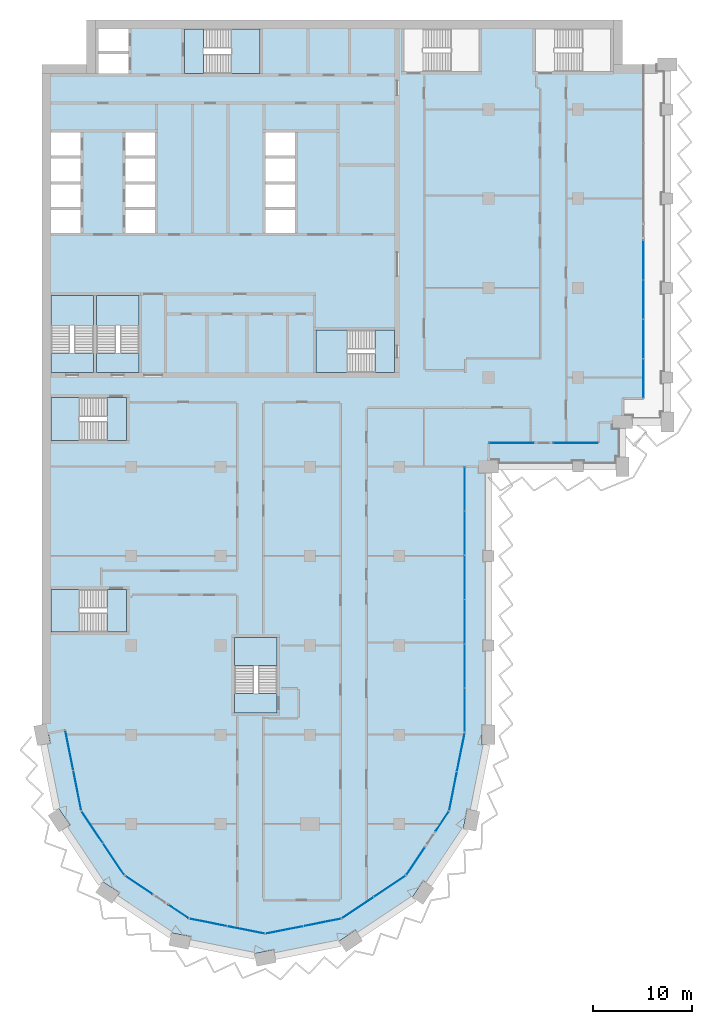
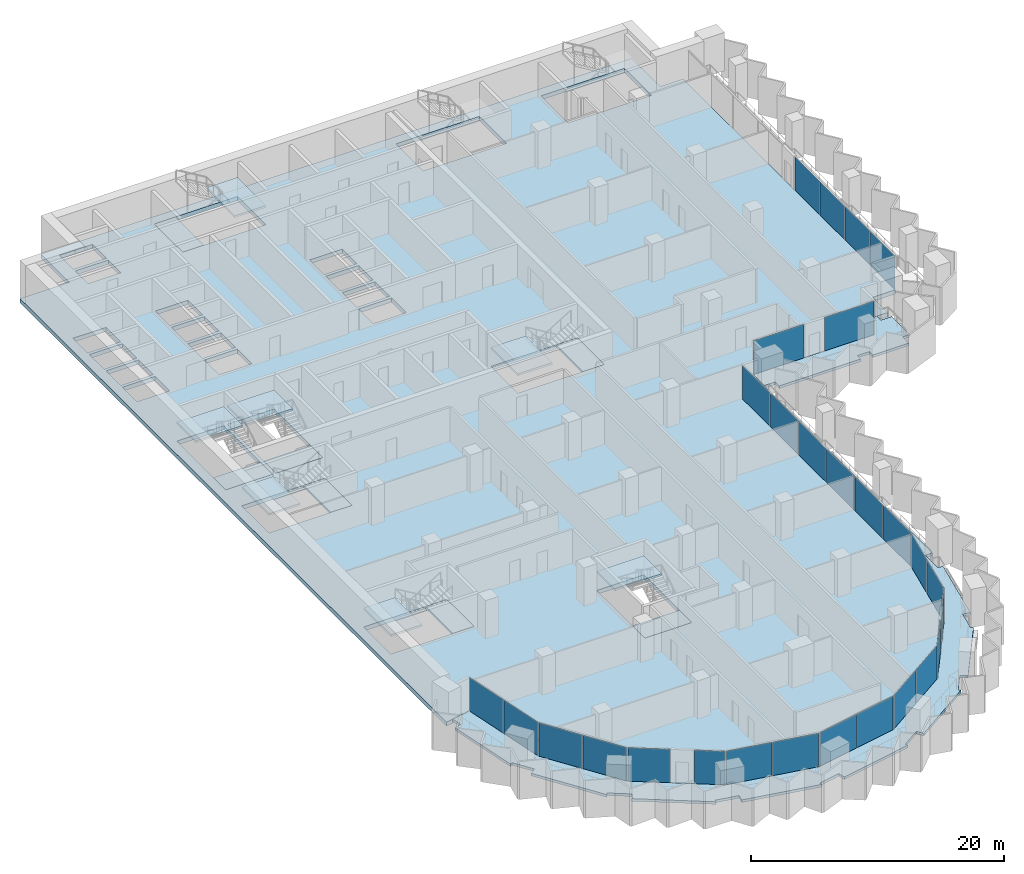
# One storey, part 7 of 23: 28 plates, 17 slabs, 21 elements without a shape of their own.
"""IFC4 building model written with IfcOpenShell, lengths in metres."""

from ifc_helpers import new_model, si_unit, direction, frame, origin, origin_2d, place, context, subcontext, project, spatial, polyline, rectangle, outline, extrude, material, layer, layer_set, type_object, element, aggregate, save


model = new_model("IFC4")

# Units and contexts
model_context = context("Model", 3, precision=1e-05, world=origin(), true_north=direction((0.0, 1.0)))
body_context = subcontext(model_context, "Body", "Model", "MODEL_VIEW")
ifc_project = project(units=[si_unit("LENGTHUNIT", "METRE"), si_unit("AREAUNIT", "SQUARE_METRE"), si_unit("VOLUMEUNIT", "CUBIC_METRE"), si_unit("PLANEANGLEUNIT", "RADIAN"), si_unit("MASSUNIT", "GRAM", prefix="KILO")], contexts=[model_context])

# Site, building, storey
site_placement = place(None, origin())
site = spatial("IfcSite", under=ifc_project, at=site_placement, CompositionType="ELEMENT")
building_placement = place(site_placement, origin())
building = spatial("IfcBuilding", under=site, at=building_placement, Name="Hunhe Ridgeline Campus", CompositionType="ELEMENT")
storey_placement = place(building_placement, frame((0.0, 0.0, 148.60009765625)))
storey = spatial("IfcBuildingStorey", under=building, at=storey_placement, Name="L37", CompositionType="ELEMENT", Elevation=148.60009765625)

# Curtain wall, plates
ifc_material_1 = material(Name="Aluminium 6063", Category="aluminium")
curtain_wall_type_1 = type_object("IfcCurtainWallType", Name="Curtain wall CW-5", PredefinedType="NOTDEFINED", material=ifc_material_1)
curtain_wall_1_placement = place(storey_placement, origin())
curtain_wall_1 = element("IfcCurtainWall", 1, at=curtain_wall_1_placement, inside=storey, type_object=curtain_wall_type_1, Name="Curtain wall 01", PredefinedType="NOTDEFINED")
ifc_material_2 = material(Name="Low-e laminated glass", Category="glass")
ifc_layer_1 = layer(ifc_material_2, 0.028076171875)
ifc_layer_set_1 = layer_set([ifc_layer_1], Name="Curtain wall glass panel 28 low-e laminated")
plate_type = type_object("IfcPlateType", Name="Curtain wall glass panel 28 low-e laminated", PredefinedType="CURTAIN_PANEL", material=ifc_layer_set_1)
plate_1_placement = place(storey_placement, frame((2.76318359375, 25.416015625, 0.0), z_axis=(0.0, 0.0, 1.0), x_axis=(0.195095347137, -0.980784280831, 0.0)))
plate_1 = element("IfcPlate", 2, at=plate_1_placement, type_object=plate_type, Name="CW-5 panel 1", PredefinedType="CURTAIN_PANEL", context=body_context, shape_type="SweptSolid", body=[
    extrude(rectangle(XDim=4.0458984375, YDim=0.028076171875, at=origin_2d()), origin(), (0.0, 0.0, 1.0), 3.22998046875),
])
plate_2_placement = place(storey_placement, frame((3.566162109375, 21.379150390625, 0.0), z_axis=(0.0, 0.0, 1.0), x_axis=(0.195095347137, -0.980784280831, 0.0)))
plate_2 = element("IfcPlate", 3, at=plate_2_placement, type_object=plate_type, Name="CW-5 panel 2", PredefinedType="CURTAIN_PANEL", context=body_context, shape_type="SweptSolid", body=[
    extrude(rectangle(XDim=4.0458984375, YDim=0.028076171875, at=origin_2d()), origin(), (0.0, 0.0, 1.0), 3.22998046875),
])
aggregate(curtain_wall_1, [plate_1, plate_2])

curtain_wall_2_placement = place(storey_placement, origin())
curtain_wall_2 = element("IfcCurtainWall", 4, at=curtain_wall_2_placement, inside=storey, type_object=curtain_wall_type_1, Name="Curtain wall 02", PredefinedType="NOTDEFINED")
plate_3_placement = place(storey_placement, frame((5.07080078125, 17.685546875, 0.0), z_axis=(0.0, 0.0, 1.0), x_axis=(0.555570274596, -0.831469584522, 0.0)))
plate_3 = element("IfcPlate", 5, at=plate_3_placement, type_object=plate_type, Name="CW-5 panel 1", PredefinedType="CURTAIN_PANEL", context=body_context, shape_type="SweptSolid", body=[
    extrude(rectangle(XDim=3.806884765625, YDim=0.028076171875, at=origin_2d()), origin(), (0.0, 0.0, 1.0), 3.22998046875),
])
plate_4_placement = place(storey_placement, frame((7.224609375, 14.4619140625, 0.0), z_axis=(0.0, 0.0, 1.0), x_axis=(0.555570274596, -0.831469584522, 0.0)))
plate_4 = element("IfcPlate", 6, at=plate_4_placement, type_object=plate_type, Name="CW-5 panel 2", PredefinedType="CURTAIN_PANEL", context=body_context, shape_type="SweptSolid", body=[
    extrude(rectangle(XDim=3.806884765625, YDim=0.028076171875, at=origin_2d()), origin(), (0.0, 0.0, 1.0), 3.22998046875),
])
aggregate(curtain_wall_2, [plate_3, plate_4])

# Curtain wall, plate
curtain_wall_3_placement = place(storey_placement, origin())
curtain_wall_3 = element("IfcCurtainWall", 7, at=curtain_wall_3_placement, inside=storey, type_object=curtain_wall_type_1, Name="Curtain wall 03", PredefinedType="NOTDEFINED")
plate_5_placement = place(storey_placement, frame((9.76025390625, 11.859375, 0.0), z_axis=(0.0, 0.0, 1.0), x_axis=(0.831469595944, -0.555570257501, 0.0)))
plate_5 = element("IfcPlate", 8, at=plate_5_placement, type_object=plate_type, Name="CW-5 panel 1", PredefinedType="CURTAIN_PANEL", context=body_context, shape_type="SweptSolid", body=[
    extrude(rectangle(XDim=3.322021484375, YDim=0.028076171875, at=origin_2d()), origin(), (0.0, 0.0, 1.0), 3.22998046875),
])
aggregate(curtain_wall_3, [plate_5])

curtain_wall_4_placement = place(storey_placement, origin())
curtain_wall_4 = element("IfcCurtainWall", 9, at=curtain_wall_4_placement, inside=storey, type_object=curtain_wall_type_1, Name="Curtain wall 04", PredefinedType="NOTDEFINED")
plate_6_placement = place(storey_placement, frame((13.761474609375, 9.18603515625, 0.0), z_axis=(0.0, 0.0, 1.0), x_axis=(0.831469510353, -0.555570385598, 0.0)))
plate_6 = element("IfcPlate", 10, at=plate_6_placement, type_object=plate_type, Name="CW-5 panel 1", PredefinedType="CURTAIN_PANEL", context=body_context, shape_type="SweptSolid", body=[
    extrude(rectangle(XDim=2.421875, YDim=0.028076171875, at=origin_2d()), origin(), (0.0, 0.0, 1.0), 3.22998046875),
])
aggregate(curtain_wall_4, [plate_6])

# Curtain wall, plates
curtain_wall_5_placement = place(storey_placement, origin())
curtain_wall_5 = element("IfcCurtainWall", 11, at=curtain_wall_5_placement, inside=storey, type_object=curtain_wall_type_1, Name="Curtain wall 05", PredefinedType="NOTDEFINED")
plate_7_placement = place(storey_placement, frame((16.761962890625, 8.08935546875, 0.0), z_axis=(0.0, 0.0, 1.0), x_axis=(0.980785275326, -0.195090347539, 0.0)))
plate_7 = element("IfcPlate", 12, at=plate_7_placement, type_object=plate_type, Name="CW-5 panel 1", PredefinedType="CURTAIN_PANEL", context=body_context, shape_type="SweptSolid", body=[
    extrude(rectangle(XDim=3.806884765625, YDim=0.028076171875, at=origin_2d()), origin(), (0.0, 0.0, 1.0), 3.22998046875),
])
plate_8_placement = place(storey_placement, frame((20.564453125, 7.3330078125, 0.0), z_axis=(0.0, 0.0, 1.0), x_axis=(0.980785275326, -0.195090347539, 0.0)))
plate_8 = element("IfcPlate", 13, at=plate_8_placement, type_object=plate_type, Name="CW-5 panel 2", PredefinedType="CURTAIN_PANEL", context=body_context, shape_type="SweptSolid", body=[
    extrude(rectangle(XDim=3.806884765625, YDim=0.028076171875, at=origin_2d()), origin(), (0.0, 0.0, 1.0), 3.22998046875),
])
aggregate(curtain_wall_5, [plate_7, plate_8])

curtain_wall_6_placement = place(storey_placement, origin())
curtain_wall_6 = element("IfcCurtainWall", 14, at=curtain_wall_6_placement, inside=storey, type_object=curtain_wall_type_1, Name="Curtain wall 06", PredefinedType="NOTDEFINED")
plate_9_placement = place(storey_placement, frame((24.435546875, 7.3330078125, 0.0), z_axis=(0.0, 0.0, 1.0), x_axis=(0.980785275326, 0.195090347539, 0.0)))
plate_9 = element("IfcPlate", 15, at=plate_9_placement, type_object=plate_type, Name="CW-5 panel 1", PredefinedType="CURTAIN_PANEL", context=body_context, shape_type="SweptSolid", body=[
    extrude(rectangle(XDim=3.806884765625, YDim=0.028076171875, at=origin_2d()), origin(), (0.0, 0.0, 1.0), 3.22998046875),
])
plate_10_placement = place(storey_placement, frame((28.238037109375, 8.08935546875, 0.0), z_axis=(0.0, 0.0, 1.0), x_axis=(0.980785275326, 0.195090347539, 0.0)))
plate_10 = element("IfcPlate", 16, at=plate_10_placement, type_object=plate_type, Name="CW-5 panel 2", PredefinedType="CURTAIN_PANEL", context=body_context, shape_type="SweptSolid", body=[
    extrude(rectangle(XDim=3.806884765625, YDim=0.028076171875, at=origin_2d()), origin(), (0.0, 0.0, 1.0), 3.22998046875),
])
aggregate(curtain_wall_6, [plate_9, plate_10])

curtain_wall_7_placement = place(storey_placement, origin())
curtain_wall_7 = element("IfcCurtainWall", 17, at=curtain_wall_7_placement, inside=storey, type_object=curtain_wall_type_1, Name="Curtain wall 07", PredefinedType="NOTDEFINED")
plate_11_placement = place(storey_placement, frame((31.814453125, 9.57080078125, 0.0), z_axis=(0.0, 0.0, 1.0), x_axis=(0.831469584522, 0.555570274596, 0.0)))
plate_11 = element("IfcPlate", 18, at=plate_11_placement, type_object=plate_type, Name="CW-5 panel 1", PredefinedType="CURTAIN_PANEL", context=body_context, shape_type="SweptSolid", body=[
    extrude(rectangle(XDim=3.806884765625, YDim=0.028076171875, at=origin_2d()), origin(), (0.0, 0.0, 1.0), 3.22998046875),
])
plate_12_placement = place(storey_placement, frame((35.0380859375, 11.724609375, 0.0), z_axis=(0.0, 0.0, 1.0), x_axis=(0.831469584522, 0.555570274596, 0.0)))
plate_12 = element("IfcPlate", 19, at=plate_12_placement, type_object=plate_type, Name="CW-5 panel 2", PredefinedType="CURTAIN_PANEL", context=body_context, shape_type="SweptSolid", body=[
    extrude(rectangle(XDim=3.806884765625, YDim=0.028076171875, at=origin_2d()), origin(), (0.0, 0.0, 1.0), 3.22998046875),
])
aggregate(curtain_wall_7, [plate_11, plate_12])

# Curtain wall, plate
curtain_wall_8_placement = place(storey_placement, origin())
curtain_wall_8 = element("IfcCurtainWall", 20, at=curtain_wall_8_placement, inside=storey, type_object=curtain_wall_type_1, Name="Curtain wall 08", PredefinedType="NOTDEFINED")
plate_13_placement = place(storey_placement, frame((37.640625, 14.26025390625, 0.0), z_axis=(0.0, 0.0, 1.0), x_axis=(0.555570257501, 0.831469595944, 0.0)))
plate_13 = element("IfcPlate", 21, at=plate_13_placement, type_object=plate_type, Name="CW-5 panel 1", PredefinedType="CURTAIN_PANEL", context=body_context, shape_type="SweptSolid", body=[
    extrude(rectangle(XDim=3.322021484375, YDim=0.028076171875, at=origin_2d()), origin(), (0.0, 0.0, 1.0), 3.22998046875),
])
aggregate(curtain_wall_8, [plate_13])

curtain_wall_9_placement = place(storey_placement, origin())
curtain_wall_9 = element("IfcCurtainWall", 22, at=curtain_wall_9_placement, inside=storey, type_object=curtain_wall_type_1, Name="Curtain wall 09", PredefinedType="NOTDEFINED")
plate_14_placement = place(storey_placement, frame((40.31396484375, 18.261474609375, 0.0), z_axis=(0.0, 0.0, 1.0), x_axis=(0.555570385598, 0.831469510353, 0.0)))
plate_14 = element("IfcPlate", 23, at=plate_14_placement, type_object=plate_type, Name="CW-5 panel 1", PredefinedType="CURTAIN_PANEL", context=body_context, shape_type="SweptSolid", body=[
    extrude(rectangle(XDim=2.421875, YDim=0.028076171875, at=origin_2d()), origin(), (0.0, 0.0, 1.0), 3.22998046875),
])
aggregate(curtain_wall_9, [plate_14])

# Curtain wall, plates
curtain_wall_10_placement = place(storey_placement, origin())
curtain_wall_10 = element("IfcCurtainWall", 24, at=curtain_wall_10_placement, inside=storey, type_object=curtain_wall_type_1, Name="Curtain wall 10", PredefinedType="NOTDEFINED")
plate_15_placement = place(storey_placement, frame((41.42236328125, 21.321044921875, 0.0), z_axis=(0.0, 0.0, 1.0), x_axis=(0.195090299215, 0.980785284939, 0.0)))
plate_15 = element("IfcPlate", 25, at=plate_15_placement, type_object=plate_type, Name="CW-5 panel 1", PredefinedType="CURTAIN_PANEL", context=body_context, shape_type="SweptSolid", body=[
    extrude(rectangle(XDim=3.927490234375, YDim=0.028076171875, at=origin_2d()), origin(), (0.0, 0.0, 1.0), 3.22998046875),
])
plate_16_placement = place(storey_placement, frame((42.2021484375, 25.24169921875, 0.0), z_axis=(0.0, 0.0, 1.0), x_axis=(0.195090299215, 0.980785284939, 0.0)))
plate_16 = element("IfcPlate", 26, at=plate_16_placement, type_object=plate_type, Name="CW-5 panel 2", PredefinedType="CURTAIN_PANEL", context=body_context, shape_type="SweptSolid", body=[
    extrude(rectangle(XDim=3.927490234375, YDim=0.028076171875, at=origin_2d()), origin(), (0.0, 0.0, 1.0), 3.22998046875),
])
aggregate(curtain_wall_10, [plate_15, plate_16])

curtain_wall_type_2 = type_object("IfcCurtainWallType", Name="Curtain wall CW-1", PredefinedType="NOTDEFINED", material=ifc_material_1)
curtain_wall_11_placement = place(storey_placement, origin())
curtain_wall_11 = element("IfcCurtainWall", 27, at=curtain_wall_11_placement, inside=storey, type_object=curtain_wall_type_2, Name="Curtain wall 11", PredefinedType="NOTDEFINED")
plate_17_placement = place(storey_placement, frame((42.59912109375, 29.481689453125, 0.0), z_axis=(0.0, 0.0, 1.0), x_axis=(4.408911e-06, 0.99999999999, 0.0)))
plate_17 = element("IfcPlate", 28, at=plate_17_placement, type_object=plate_type, Name="CW-1 panel 1", PredefinedType="CURTAIN_PANEL", context=body_context, shape_type="SweptSolid", body=[
    extrude(rectangle(XDim=4.37060546875, YDim=0.028076171875, at=origin_2d()), origin(), (0.0, 0.0, 1.0), 3.239990234375),
])
plate_18_placement = place(storey_placement, frame((42.59912109375, 33.927490234375, 0.0), z_axis=(0.0, 0.0, 1.0), x_axis=(4.408911e-06, 0.99999999999, 0.0)))
plate_18 = element("IfcPlate", 29, at=plate_18_placement, type_object=plate_type, Name="CW-1 panel 2", PredefinedType="CURTAIN_PANEL", context=body_context, shape_type="SweptSolid", body=[
    extrude(rectangle(XDim=4.400634765625, YDim=0.028076171875, at=origin_2d()), origin(), (0.0, 0.0, 1.0), 3.239990234375),
])
plate_19_placement = place(storey_placement, frame((42.59912109375, 38.38818359375, 0.0), z_axis=(0.0, 0.0, 1.0), x_axis=(4.408911e-06, 0.99999999999, 0.0)))
plate_19 = element("IfcPlate", 30, at=plate_19_placement, type_object=plate_type, Name="CW-1 panel 3", PredefinedType="CURTAIN_PANEL", context=body_context, shape_type="SweptSolid", body=[
    extrude(rectangle(XDim=4.400634765625, YDim=0.028076171875, at=origin_2d()), origin(), (0.0, 0.0, 1.0), 3.239990234375),
])
plate_20_placement = place(storey_placement, frame((42.59912109375, 42.848876953125, 0.0), z_axis=(0.0, 0.0, 1.0), x_axis=(4.408911e-06, 0.99999999999, 0.0)))
plate_20 = element("IfcPlate", 31, at=plate_20_placement, type_object=plate_type, Name="CW-1 panel 4", PredefinedType="CURTAIN_PANEL", context=body_context, shape_type="SweptSolid", body=[
    extrude(rectangle(XDim=4.400634765625, YDim=0.028076171875, at=origin_2d()), origin(), (0.0, 0.0, 1.0), 3.239990234375),
])
plate_21_placement = place(storey_placement, frame((42.59912109375, 47.3095703125, 0.0), z_axis=(0.0, 0.0, 1.0), x_axis=(4.408911e-06, 0.99999999999, 0.0)))
plate_21 = element("IfcPlate", 32, at=plate_21_placement, type_object=plate_type, Name="CW-1 panel 5", PredefinedType="CURTAIN_PANEL", context=body_context, shape_type="SweptSolid", body=[
    extrude(rectangle(XDim=4.400634765625, YDim=0.028076171875, at=origin_2d()), origin(), (0.0, 0.0, 1.0), 3.239990234375),
])
plate_22_placement = place(storey_placement, frame((42.59912109375, 51.755126953125, 0.0), z_axis=(0.0, 0.0, 1.0), x_axis=(4.408911e-06, 0.99999999999, 0.0)))
plate_22 = element("IfcPlate", 33, at=plate_22_placement, type_object=plate_type, Name="CW-1 panel 6", PredefinedType="CURTAIN_PANEL", context=body_context, shape_type="SweptSolid", body=[
    extrude(rectangle(XDim=4.37060546875, YDim=0.028076171875, at=origin_2d()), origin(), (0.0, 0.0, 1.0), 3.239990234375),
])
aggregate(curtain_wall_11, [plate_17, plate_18, plate_19, plate_20, plate_21, plate_22])

# Curtain wall, plate
curtain_wall_12_placement = place(storey_placement, origin())
curtain_wall_12 = element("IfcCurtainWall", 34, at=curtain_wall_12_placement, inside=storey, type_object=curtain_wall_type_2, Name="Curtain wall 12", PredefinedType="NOTDEFINED")
plate_23_placement = place(storey_placement, frame((47.32470703125, 56.40087890625, 0.0), z_axis=(0.0, 0.0, 1.0), x_axis=(0.999999999999, 1.72058e-06, 0.0)))
plate_23 = element("IfcPlate", 35, at=plate_23_placement, type_object=plate_type, Name="CW-1 panel 1", PredefinedType="CURTAIN_PANEL", context=body_context, shape_type="SweptSolid", body=[
    extrude(rectangle(XDim=4.529541015625, YDim=0.028076171875, at=origin_2d()), origin(), (0.0, 0.0, 1.0), 3.239990234375),
])
aggregate(curtain_wall_12, [plate_23])

curtain_wall_13_placement = place(storey_placement, origin())
curtain_wall_13 = element("IfcCurtainWall", 36, at=curtain_wall_13_placement, inside=storey, type_object=curtain_wall_type_2, Name="Curtain wall 13", PredefinedType="NOTDEFINED")
plate_24_placement = place(storey_placement, frame((53.774169921875, 56.40087890625, 0.0), z_axis=(0.0, 0.0, 1.0), x_axis=(0.999999999999, 1.72058e-06, 0.0)))
plate_24 = element("IfcPlate", 37, at=plate_24_placement, type_object=plate_type, Name="CW-1 panel 1", PredefinedType="CURTAIN_PANEL", context=body_context, shape_type="SweptSolid", body=[
    extrude(rectangle(XDim=4.529541015625, YDim=0.028076171875, at=origin_2d()), origin(), (0.0, 0.0, 1.0), 3.239990234375),
])
aggregate(curtain_wall_13, [plate_24])

# Curtain wall, plates
curtain_wall_14_placement = place(storey_placement, origin())
curtain_wall_14 = element("IfcCurtainWall", 38, at=curtain_wall_14_placement, inside=storey, type_object=curtain_wall_type_2, Name="Curtain wall 14", PredefinedType="NOTDEFINED")
plate_25_placement = place(storey_placement, frame((60.59912109375, 62.9033203125, 0.0), z_axis=(0.0, 0.0, 1.0), x_axis=(0.0, 1.0, 0.0)))
plate_25 = element("IfcPlate", 39, at=plate_25_placement, type_object=plate_type, Name="CW-1 panel 1", PredefinedType="CURTAIN_PANEL", context=body_context, shape_type="SweptSolid", body=[
    extrude(rectangle(XDim=3.884765625, YDim=0.028076171875, at=origin_2d()), origin(), (0.0, 0.0, 1.0), 3.239990234375),
])
plate_26_placement = place(storey_placement, frame((60.59912109375, 66.86328125, 0.0), z_axis=(0.0, 0.0, 1.0), x_axis=(0.0, 1.0, 0.0)))
plate_26 = element("IfcPlate", 40, at=plate_26_placement, type_object=plate_type, Name="CW-1 panel 2", PredefinedType="CURTAIN_PANEL", context=body_context, shape_type="SweptSolid", body=[
    extrude(rectangle(XDim=3.914794921875, YDim=0.028076171875, at=origin_2d()), origin(), (0.0, 0.0, 1.0), 3.239990234375),
])
plate_27_placement = place(storey_placement, frame((60.59912109375, 70.838134765625, 0.0), z_axis=(0.0, 0.0, 1.0), x_axis=(0.0, 1.0, 0.0)))
plate_27 = element("IfcPlate", 41, at=plate_27_placement, type_object=plate_type, Name="CW-1 panel 3", PredefinedType="CURTAIN_PANEL", context=body_context, shape_type="SweptSolid", body=[
    extrude(rectangle(XDim=3.914794921875, YDim=0.028076171875, at=origin_2d()), origin(), (0.0, 0.0, 1.0), 3.239990234375),
])
plate_28_placement = place(storey_placement, frame((60.59912109375, 74.798095703125, 0.0), z_axis=(0.0, 0.0, 1.0), x_axis=(0.0, 1.0, 0.0)))
plate_28 = element("IfcPlate", 42, at=plate_28_placement, type_object=plate_type, Name="CW-1 panel 4", PredefinedType="CURTAIN_PANEL", context=body_context, shape_type="SweptSolid", body=[
    extrude(rectangle(XDim=3.884765625, YDim=0.028076171875, at=origin_2d()), origin(), (0.0, 0.0, 1.0), 3.239990234375),
])
aggregate(curtain_wall_14, [plate_25, plate_26, plate_27, plate_28])

# Slabs
ifc_material_3 = material(Name="Concrete C40", Category="concrete")
ifc_layer_2 = layer(ifc_material_3, 0.39990234375)
ifc_layer_set_2 = layer_set([ifc_layer_2], Name="Floor slab 400 Concrete C40")
slab_type_1 = type_object("IfcSlabType", Name="Floor slab 400 Concrete C40", PredefinedType="FLOOR", material=ifc_layer_set_2)
slab_1_placement = place(storey_placement, frame((0.0, 0.0, -0.400146484375)))
element("IfcSlab", 43, at=slab_1_placement, inside=storey, type_object=slab_type_1, Name="Floor slab L37 1", PredefinedType="FLOOR", context=body_context, shape_type="SweptSolid", body=[
    extrude(outline(polyline([(2.354736328125, 27.46875), (3.974365234375, 19.326416015625), (8.321044921875, 12.821044921875), (14.826416015625, 8.474365234375), (22.5, 6.947998046875), (30.173583984375, 8.474365234375), (36.678955078125, 12.821044921875), (41.025634765625, 19.326416015625), (42.59912109375, 27.236572265625), (42.59912109375, 54.00048828125), (44.9990234375, 54.0009765625), (44.999755859375, 56.40087890625), (56.09912109375, 56.40087890625), (56.099365234375, 58.500732421875), (58.4990234375, 58.5009765625), (58.499267578125, 60.900634765625), (60.59912109375, 60.90087890625), (60.59912109375, 94.5), (58.5, 94.5), (58.5, 99.0), (4.5, 99.0), (4.5, 94.5), (0.0, 94.5), (0.0, 27.0009765625), (2.354736328125, 27.46875)]), holes=[polyline([(49.699951171875, 93.800048828125), (57.300048828125, 93.800048828125), (57.300048828125, 98.10009765625), (49.699951171875, 98.10009765625), (49.699951171875, 93.800048828125)]), polyline([(44.050048828125, 93.800048828125), (44.050048828125, 98.10009765625), (36.449951171875, 98.10009765625), (36.449951171875, 93.800048828125), (44.050048828125, 93.800048828125)]), polyline([(35.5, 67.75), (27.60009765625, 67.75), (27.60009765625, 63.5), (35.5, 63.5), (35.5, 67.75)]), polyline([(25.5, 82.75), (25.5, 85.050048828125), (22.5, 85.050048828125), (22.5, 82.75), (25.5, 82.75)]), polyline([(25.5, 82.449951171875), (22.5, 82.449951171875), (22.5, 80.14990234375), (25.5, 80.14990234375), (25.5, 82.449951171875)]), polyline([(22.5, 85.35009765625), (25.5, 85.35009765625), (25.5, 87.64990234375), (22.5, 87.64990234375), (22.5, 85.35009765625)]), polyline([(22.5, 79.85009765625), (22.5, 77.550048828125), (25.5, 77.550048828125), (25.5, 79.85009765625), (22.5, 79.85009765625)]), polyline([(19.39990234375, 29.199951171875), (23.699951171875, 29.199951171875), (23.699951171875, 36.800048828125), (19.39990234375, 36.800048828125), (19.39990234375, 29.199951171875)]), polyline([(21.949951171875, 93.60009765625), (21.949951171875, 98.10009765625), (14.35009765625, 98.10009765625), (14.35009765625, 93.60009765625), (21.949951171875, 93.60009765625)]), polyline([(8.39990234375, 79.85009765625), (8.39990234375, 77.550048828125), (11.39990234375, 77.550048828125), (11.39990234375, 79.85009765625), (8.39990234375, 79.85009765625)]), polyline([(8.39990234375, 85.35009765625), (11.39990234375, 85.35009765625), (11.39990234375, 87.64990234375), (8.39990234375, 87.64990234375), (8.39990234375, 85.35009765625)]), polyline([(11.39990234375, 82.449951171875), (8.39990234375, 82.449951171875), (8.39990234375, 80.14990234375), (11.39990234375, 80.14990234375), (11.39990234375, 82.449951171875)]), polyline([(11.39990234375, 82.75), (11.39990234375, 85.050048828125), (8.39990234375, 85.050048828125), (8.39990234375, 82.75), (11.39990234375, 82.75)]), polyline([(5.5, 71.25), (5.5, 63.5), (9.800048828125, 63.5), (9.800048828125, 71.25), (5.5, 71.25)]), polyline([(8.699951171875, 98.10009765625), (5.699951171875, 98.10009765625), (5.699951171875, 95.89990234375), (8.699951171875, 95.89990234375), (8.699951171875, 98.10009765625)]), polyline([(5.699951171875, 95.60009765625), (5.699951171875, 93.60009765625), (8.699951171875, 93.60009765625), (8.699951171875, 95.60009765625), (5.699951171875, 95.60009765625)]), polyline([(0.89990234375, 60.949951171875), (0.89990234375, 56.64990234375), (8.5, 56.64990234375), (8.5, 60.949951171875), (0.89990234375, 60.949951171875)]), polyline([(0.89990234375, 37.35009765625), (8.5, 37.35009765625), (8.5, 41.64990234375), (0.89990234375, 41.64990234375), (0.89990234375, 37.35009765625)]), polyline([(0.89990234375, 63.5), (5.199951171875, 63.5), (5.199951171875, 71.25), (0.89990234375, 71.25), (0.89990234375, 63.5)]), polyline([(3.89990234375, 82.75), (3.89990234375, 85.050048828125), (0.89990234375, 85.050048828125), (0.89990234375, 82.75), (3.89990234375, 82.75)]), polyline([(3.89990234375, 82.449951171875), (0.89990234375, 82.449951171875), (0.89990234375, 80.14990234375), (3.89990234375, 80.14990234375), (3.89990234375, 82.449951171875)]), polyline([(0.89990234375, 85.35009765625), (3.89990234375, 85.35009765625), (3.89990234375, 87.64990234375), (0.89990234375, 87.64990234375), (0.89990234375, 85.35009765625)]), polyline([(0.89990234375, 79.85009765625), (0.89990234375, 77.550048828125), (3.89990234375, 77.550048828125), (3.89990234375, 79.85009765625), (0.89990234375, 79.85009765625)])]), origin(), (0.0, 0.0, 1.0), 0.400146484375),
])
ifc_layer_3 = layer(ifc_material_3, 0.25)
ifc_layer_set_3 = layer_set([ifc_layer_3], Name="Loggia slab 250 Concrete C40")
slab_type_2 = type_object("IfcSlabType", Name="Loggia slab 250 Concrete C40", PredefinedType="FLOOR", material=ifc_layer_set_3)
slab_2_placement = place(storey_placement, frame((0.0, 0.0, -0.25)))
element("IfcSlab", 44, at=slab_2_placement, inside=storey, type_object=slab_type_2, Name="Loggia slab 1", PredefinedType="FLOOR", context=body_context, shape_type="SweptSolid", body=[
    extrude(outline(polyline([(30.173828125, 8.473388671875), (22.5, 6.947021484375), (14.826171875, 8.473388671875), (8.3203125, 12.8203125), (3.973388671875, 19.326171875), (2.35400390625, 27.46826171875), (0.637451171875, 27.126708984375), (0.83251953125, 26.14599609375), (0.195068359375, 26.019287109375), (1.50146484375, 19.451171875), (1.697509765625, 19.582275390625), (2.808837890625, 17.919189453125), (2.268310546875, 17.55810546875), (5.98876953125, 11.989990234375), (6.11962890625, 12.18603515625), (7.78271484375, 11.074951171875), (7.421630859375, 10.534423828125), (12.98974609375, 6.81396484375), (13.03564453125, 7.04541015625), (14.997314453125, 6.655029296875), (14.870361328125, 6.017578125), (21.4384765625, 4.711181640625), (21.392333984375, 4.9423828125), (23.35400390625, 5.33251953125), (23.480712890625, 4.695068359375), (30.048828125, 6.00146484375), (29.917724609375, 6.197509765625), (31.580810546875, 7.308837890625), (31.94189453125, 6.768310546875), (37.510009765625, 10.48876953125), (37.31396484375, 10.61962890625), (38.425048828125, 12.28271484375), (38.965576171875, 11.921630859375), (42.68603515625, 17.48974609375), (42.45458984375, 17.53564453125), (42.844970703125, 19.497314453125), (43.482421875, 19.370361328125), (44.801025390625, 26.0), (44.35009765625, 26.0), (44.35009765625, 28.0), (45.0, 28.0), (45.0, 35.449951171875), (44.449951171875, 35.449951171875), (44.449951171875, 36.550048828125), (45.0, 36.550048828125), (45.0, 44.449951171875), (44.449951171875, 44.449951171875), (44.449951171875, 45.550048828125), (45.0, 45.550048828125), (45.0, 53.35009765625), (44.0, 53.35009765625), (44.0, 54.0), (42.60009765625, 54.0), (42.60009765625, 27.236328125), (41.026611328125, 19.326171875), (36.6796875, 12.8203125), (30.173828125, 8.473388671875)])), origin(), (0.0, 0.0, 1.0), 0.25),
])
slab_3_placement = place(storey_placement, frame((0.0, 0.0, -0.25)))
element("IfcSlab", 45, at=slab_3_placement, inside=storey, type_object=slab_type_2, Name="Loggia slab 2", PredefinedType="FLOOR", context=body_context, shape_type="SweptSolid", body=[
    extrude(outline(polyline([(45.0, 54.64990234375), (46.0, 54.64990234375), (46.0, 54.0), (53.449951171875, 54.0), (53.449951171875, 54.550048828125), (54.550048828125, 54.550048828125), (54.550048828125, 54.0), (57.85009765625, 54.0), (57.85009765625, 55.0), (58.5, 55.0), (58.5, 57.85009765625), (57.5, 57.85009765625), (57.5, 58.5), (56.10009765625, 58.5), (56.10009765625, 56.39990234375), (45.0, 56.39990234375), (45.0, 54.64990234375)])), origin(), (0.0, 0.0, 1.0), 0.25),
])

# Stair, slab
stair_type = type_object("IfcStairType", Name="Reinforced concrete dog-leg stair 1950 Concrete C40", PredefinedType="HALF_TURN_STAIR", material=ifc_material_3)
stair_1_placement = place(storey_placement, origin())
stair_1 = element("IfcStair", 46, at=stair_1_placement, inside=storey, type_object=stair_type, Name="L37 S1", PredefinedType="HALF_TURN_STAIR")
ifc_layer_4 = layer(ifc_material_3, 0.199951171875)
ifc_layer_set_4 = layer_set([ifc_layer_4], Name="Reinforced concrete stair landing 200 Concrete C40")
slab_type_3 = type_object("IfcSlabType", Name="Reinforced concrete stair landing 200 Concrete C40", PredefinedType="LANDING", material=ifc_layer_set_4)
slab_4_placement = place(storey_placement, frame((0.0, 0.0, 1.64990234375)))
slab_4 = element("IfcSlab", 47, at=slab_4_placement, type_object=slab_type_3, Name="ST1 landing 1", PredefinedType="LANDING", context=body_context, shape_type="SweptSolid", body=[
    extrude(outline(polyline([(19.10009765625, 93.60009765625), (21.949951171875, 93.60009765625), (21.949951171875, 98.10009765625), (19.10009765625, 98.10009765625), (19.10009765625, 93.60009765625)])), origin(), (0.0, 0.0, 1.0), 0.199951171875),
])
aggregate(stair_1, [slab_4])

# Slab
slab_5_placement = place(storey_placement, frame((0.0, 0.0, -0.2001953125)))
element("IfcSlab", 48, at=slab_5_placement, inside=storey, type_object=slab_type_3, Name="L37 stair S1 floor landing", PredefinedType="LANDING", context=body_context, shape_type="SweptSolid", body=[
    extrude(outline(polyline([(14.35009765625, 93.60009765625), (16.300048828125, 93.60009765625), (16.300048828125, 98.10009765625), (14.35009765625, 98.10009765625), (14.35009765625, 93.60009765625)])), origin(), (0.0, 0.0, 1.0), 0.2001953125),
])

# Stair, slab
stair_2_placement = place(storey_placement, origin())
stair_2 = element("IfcStair", 49, at=stair_2_placement, inside=storey, type_object=stair_type, Name="L37 S2", PredefinedType="HALF_TURN_STAIR")
slab_6_placement = place(storey_placement, frame((0.0, 0.0, 1.64990234375)))
slab_6 = element("IfcSlab", 50, at=slab_6_placement, type_object=slab_type_3, Name="ST2 landing 1", PredefinedType="LANDING", context=body_context, shape_type="SweptSolid", body=[
    extrude(outline(polyline([(30.75, 67.75), (27.60009765625, 67.75), (27.60009765625, 63.5), (30.75, 63.5), (30.75, 67.75)])), origin(), (0.0, 0.0, 1.0), 0.199951171875),
])
aggregate(stair_2, [slab_6])

# Slab
slab_7_placement = place(storey_placement, frame((0.0, 0.0, -0.2001953125)))
element("IfcSlab", 51, at=slab_7_placement, inside=storey, type_object=slab_type_3, Name="L37 stair S2 floor landing", PredefinedType="LANDING", context=body_context, shape_type="SweptSolid", body=[
    extrude(outline(polyline([(35.5, 67.75), (33.550048828125, 67.75), (33.550048828125, 63.5), (35.5, 63.5), (35.5, 67.75)])), origin(), (0.0, 0.0, 1.0), 0.2001953125),
])

# Stair, slab
stair_3_placement = place(storey_placement, origin())
stair_3 = element("IfcStair", 52, at=stair_3_placement, inside=storey, type_object=stair_type, Name="L37 S3", PredefinedType="HALF_TURN_STAIR")
slab_8_placement = place(storey_placement, frame((0.0, 0.0, 1.64990234375)))
slab_8 = element("IfcSlab", 53, at=slab_8_placement, type_object=slab_type_3, Name="ST3 landing 1", PredefinedType="LANDING", context=body_context, shape_type="SweptSolid", body=[
    extrude(outline(polyline([(5.199951171875, 68.25), (5.199951171875, 71.25), (0.89990234375, 71.25), (0.89990234375, 68.25), (5.199951171875, 68.25)])), origin(), (0.0, 0.0, 1.0), 0.199951171875),
])
aggregate(stair_3, [slab_8])

# Slab
slab_9_placement = place(storey_placement, frame((0.0, 0.0, -0.2001953125)))
element("IfcSlab", 54, at=slab_9_placement, inside=storey, type_object=slab_type_3, Name="L37 stair S3 floor landing", PredefinedType="LANDING", context=body_context, shape_type="SweptSolid", body=[
    extrude(outline(polyline([(5.199951171875, 63.5), (5.199951171875, 65.449951171875), (0.89990234375, 65.449951171875), (0.89990234375, 63.5), (5.199951171875, 63.5)])), origin(), (0.0, 0.0, 1.0), 0.2001953125),
])

# Stair, slab
stair_4_placement = place(storey_placement, origin())
stair_4 = element("IfcStair", 55, at=stair_4_placement, inside=storey, type_object=stair_type, Name="L37 S4", PredefinedType="HALF_TURN_STAIR")
slab_10_placement = place(storey_placement, frame((0.0, 0.0, 1.64990234375)))
slab_10 = element("IfcSlab", 56, at=slab_10_placement, type_object=slab_type_3, Name="ST4 landing 1", PredefinedType="LANDING", context=body_context, shape_type="SweptSolid", body=[
    extrude(outline(polyline([(9.800048828125, 68.25), (9.800048828125, 71.25), (5.5, 71.25), (5.5, 68.25), (9.800048828125, 68.25)])), origin(), (0.0, 0.0, 1.0), 0.199951171875),
])
aggregate(stair_4, [slab_10])

# Slab
slab_11_placement = place(storey_placement, frame((0.0, 0.0, -0.2001953125)))
element("IfcSlab", 57, at=slab_11_placement, inside=storey, type_object=slab_type_3, Name="L37 stair S4 floor landing", PredefinedType="LANDING", context=body_context, shape_type="SweptSolid", body=[
    extrude(outline(polyline([(9.800048828125, 63.5), (9.800048828125, 65.449951171875), (5.5, 65.449951171875), (5.5, 63.5), (9.800048828125, 63.5)])), origin(), (0.0, 0.0, 1.0), 0.2001953125),
])

# Stair, slab
stair_5_placement = place(storey_placement, origin())
stair_5 = element("IfcStair", 58, at=stair_5_placement, inside=storey, type_object=stair_type, Name="L37 W3", PredefinedType="HALF_TURN_STAIR")
slab_12_placement = place(storey_placement, frame((0.0, 0.0, 1.64990234375)))
slab_12 = element("IfcSlab", 59, at=slab_12_placement, type_object=slab_type_3, Name="ST9 landing 1", PredefinedType="LANDING", context=body_context, shape_type="SweptSolid", body=[
    extrude(outline(polyline([(23.699951171875, 33.949951171875), (23.699951171875, 36.800048828125), (19.39990234375, 36.800048828125), (19.39990234375, 33.949951171875), (23.699951171875, 33.949951171875)])), origin(), (0.0, 0.0, 1.0), 0.199951171875),
])
aggregate(stair_5, [slab_12])

# Slab
slab_13_placement = place(storey_placement, frame((0.0, 0.0, -0.2001953125)))
element("IfcSlab", 60, at=slab_13_placement, inside=storey, type_object=slab_type_3, Name="L37 stair W3 floor landing", PredefinedType="LANDING", context=body_context, shape_type="SweptSolid", body=[
    extrude(outline(polyline([(23.699951171875, 29.199951171875), (23.699951171875, 31.14990234375), (19.39990234375, 31.14990234375), (19.39990234375, 29.199951171875), (23.699951171875, 29.199951171875)])), origin(), (0.0, 0.0, 1.0), 0.2001953125),
])

# Stair, slab
stair_6_placement = place(storey_placement, origin())
stair_6 = element("IfcStair", 61, at=stair_6_placement, inside=storey, type_object=stair_type, Name="L37 W1", PredefinedType="HALF_TURN_STAIR")
slab_14_placement = place(storey_placement, frame((0.0, 0.0, 1.64990234375)))
slab_14 = element("IfcSlab", 62, at=slab_14_placement, type_object=slab_type_3, Name="ST11 landing 1", PredefinedType="LANDING", context=body_context, shape_type="SweptSolid", body=[
    extrude(outline(polyline([(3.75, 41.64990234375), (0.89990234375, 41.64990234375), (0.89990234375, 37.35009765625), (3.75, 37.35009765625), (3.75, 41.64990234375)])), origin(), (0.0, 0.0, 1.0), 0.199951171875),
])
aggregate(stair_6, [slab_14])

# Slab
slab_15_placement = place(storey_placement, frame((0.0, 0.0, -0.2001953125)))
element("IfcSlab", 63, at=slab_15_placement, inside=storey, type_object=slab_type_3, Name="L37 stair W1 floor landing", PredefinedType="LANDING", context=body_context, shape_type="SweptSolid", body=[
    extrude(outline(polyline([(8.5, 41.64990234375), (6.550048828125, 41.64990234375), (6.550048828125, 37.35009765625), (8.5, 37.35009765625), (8.5, 41.64990234375)])), origin(), (0.0, 0.0, 1.0), 0.2001953125),
])

# Stair, slab
stair_7_placement = place(storey_placement, origin())
stair_7 = element("IfcStair", 64, at=stair_7_placement, inside=storey, type_object=stair_type, Name="L37 W2", PredefinedType="HALF_TURN_STAIR")
slab_16_placement = place(storey_placement, frame((0.0, 0.0, 1.64990234375)))
slab_16 = element("IfcSlab", 65, at=slab_16_placement, type_object=slab_type_3, Name="ST12 landing 1", PredefinedType="LANDING", context=body_context, shape_type="SweptSolid", body=[
    extrude(outline(polyline([(3.75, 60.949951171875), (0.89990234375, 60.949951171875), (0.89990234375, 56.64990234375), (3.75, 56.64990234375), (3.75, 60.949951171875)])), origin(), (0.0, 0.0, 1.0), 0.199951171875),
])
aggregate(stair_7, [slab_16])

# Slab
slab_17_placement = place(storey_placement, frame((0.0, 0.0, -0.2001953125)))
element("IfcSlab", 66, at=slab_17_placement, inside=storey, type_object=slab_type_3, Name="L37 stair W2 floor landing", PredefinedType="LANDING", context=body_context, shape_type="SweptSolid", body=[
    extrude(outline(polyline([(8.5, 60.949951171875), (6.550048828125, 60.949951171875), (6.550048828125, 56.64990234375), (8.5, 56.64990234375), (8.5, 60.949951171875)])), origin(), (0.0, 0.0, 1.0), 0.2001953125),
])

save(model, "model.ifc")
